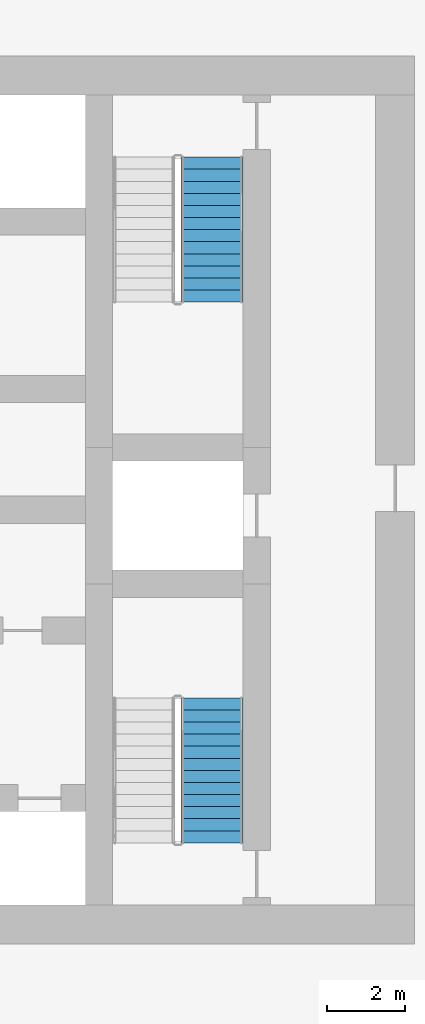
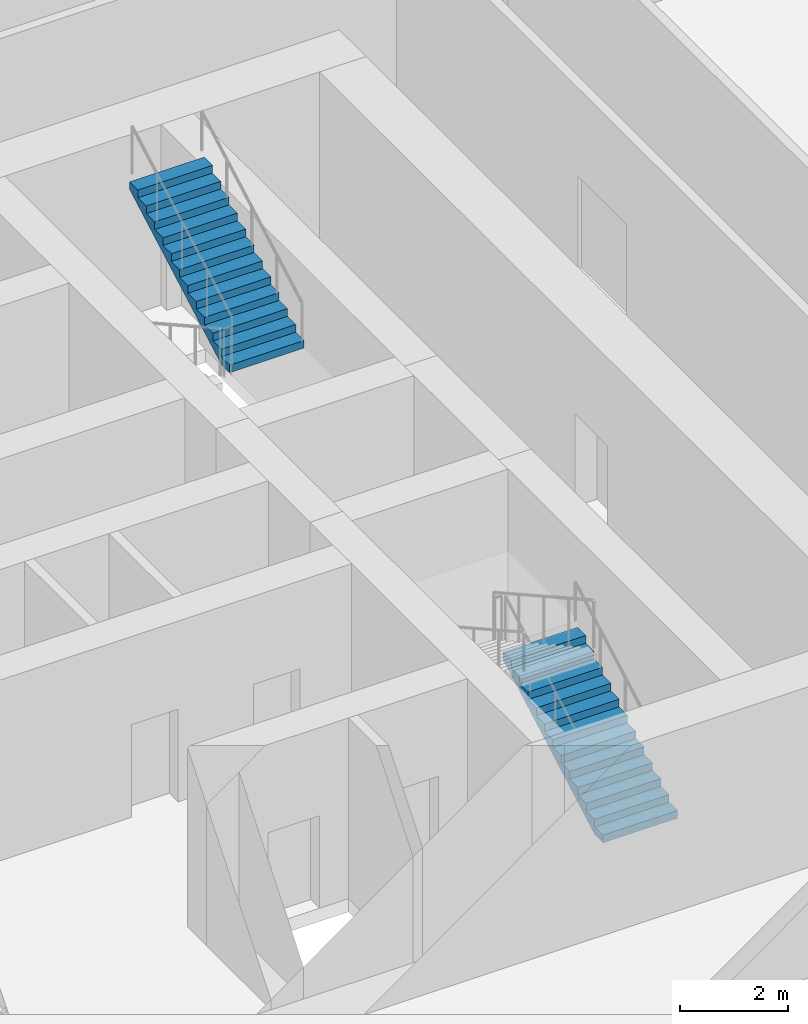
# One storey, part 26 of 32: 2 stair flights, 2 elements without a shape of their own.
"""IFC4 building model written with IfcOpenShell, lengths in metres."""

from ifc_helpers import new_model, si_unit, direction, frame, origin, place, context, subcontext, project, spatial, polyline, outline, extrude, material, type_object, element, aggregate, save


model = new_model("IFC4")

# Units and contexts
model_context = context("Model", 3, precision=1e-05, world=origin(), true_north=direction((0.0, 1.0)))
body_context = subcontext(model_context, "Body", "Model", "MODEL_VIEW")
ifc_project = project(units=[si_unit("LENGTHUNIT", "METRE"), si_unit("AREAUNIT", "SQUARE_METRE"), si_unit("VOLUMEUNIT", "CUBIC_METRE"), si_unit("PLANEANGLEUNIT", "RADIAN"), si_unit("MASSUNIT", "GRAM", prefix="KILO")], contexts=[model_context])

# Site, building, storey
site_placement = place(None, origin())
site = spatial("IfcSite", under=ifc_project, at=site_placement, CompositionType="ELEMENT")
building_placement = place(site_placement, origin())
building = spatial("IfcBuilding", under=site, at=building_placement, Name="Madar Terraces", CompositionType="ELEMENT")
storey_placement = place(building_placement, frame((0.0, 0.0, 19.5)))
storey = spatial("IfcBuildingStorey", under=building, at=storey_placement, Name="L04", CompositionType="ELEMENT", Elevation=19.5)

# Stair, stair flight
ifc_material_1 = material(Name="Concrete C50/60", Category="concrete")
stair_type_1 = type_object("IfcStairType", Name="Stair ST2 protected exit", PredefinedType="HALF_TURN_STAIR", material=ifc_material_1)
stair_1_placement = place(storey_placement, origin())
stair_1 = element("IfcStair", 1, at=stair_1_placement, inside=storey, type_object=stair_type_1, Name="L04 Protected Exit Stair ST2", PredefinedType="HALF_TURN_STAIR")
ifc_material_2 = material(Name="Concrete C50/60", Category="concrete")
stair_flight_type_1 = type_object("IfcStairFlightType", Name="Stair flight ST2-F2, 1600 wide, 13 risers", PredefinedType="STRAIGHT", material=ifc_material_2)
stair_flight_1_placement = place(storey_placement, frame((42.199951171875, 31.47998046875, 2.25), z_axis=(0.0, 0.0, 1.0), x_axis=(0.0, 1.0, 0.0)))
stair_flight_1 = element("IfcStairFlight", 2, at=stair_flight_1_placement, type_object=stair_flight_type_1, Name="ST2 flight 2", NumberOfRisers=13, NumberOfTreads=12, PredefinedType="STRAIGHT", RiserHeight=0.173076923, TreadLength=0.31, context=body_context, shape_type="SweptSolid", body=[
    extrude(outline(polyline([(0.0, 0.0), (0.0, 0.173095703125), (0.31005859375, 0.173095703125), (0.31005859375, 0.34619140625), (0.6201171875, 0.34619140625), (0.6201171875, 0.519287109375), (0.929931640625, 0.519287109375), (0.929931640625, 0.6923828125), (1.239990234375, 0.6923828125), (1.239990234375, 0.865478515625), (1.550048828125, 0.865478515625), (1.550048828125, 1.03857421875), (1.860107421875, 1.03857421875), (1.860107421875, 1.21142578125), (2.169921875, 1.21142578125), (2.169921875, 1.384521484375), (2.47998046875, 1.384521484375), (2.47998046875, 1.5576171875), (2.7900390625, 1.5576171875), (2.7900390625, 1.730712890625), (3.10009765625, 1.730712890625), (3.10009765625, 1.90380859375), (3.409912109375, 1.90380859375), (3.409912109375, 2.076904296875), (3.719970703125, 2.076904296875), (3.719970703125, 2.25), (3.719970703125, 1.9052734375), (0.3076171875, 0.0), (0.0, 0.0)])), frame((0.0, 0.800048828125, 0.0), z_axis=(0.0, -1.0, 0.0), x_axis=(1.0, 0.0, 0.0)), (0.0, 0.0, 1.0), 1.60009765625),
])
aggregate(stair_1, [stair_flight_1])

ifc_material_3 = material(Name="Concrete C50/60", Category="concrete")
stair_type_2 = type_object("IfcStairType", Name="Stair ST3 protected exit", PredefinedType="HALF_TURN_STAIR", material=ifc_material_3)
stair_2_placement = place(storey_placement, origin())
stair_2 = element("IfcStair", 3, at=stair_2_placement, inside=storey, type_object=stair_type_2, Name="L04 Protected Exit Stair ST3", PredefinedType="HALF_TURN_STAIR")
ifc_material_4 = material(Name="Concrete C50/60", Category="concrete")
stair_flight_type_2 = type_object("IfcStairFlightType", Name="Stair flight ST3-F2, 1600 wide, 13 risers", PredefinedType="STRAIGHT", material=ifc_material_4)
stair_flight_2_placement = place(storey_placement, frame((42.199951171875, 17.60009765625, 0.0), z_axis=(0.0, 0.0, 1.0), x_axis=(0.0, 1.0, 0.0)))
stair_flight_2 = element("IfcStairFlight", 4, at=stair_flight_2_placement, type_object=stair_flight_type_2, Name="ST3 flight 1", NumberOfRisers=13, NumberOfTreads=12, PredefinedType="STRAIGHT", RiserHeight=0.173076923, TreadLength=0.31, context=body_context, shape_type="SweptSolid", body=[
    extrude(outline(polyline([(0.0, 0.0), (0.0, 0.173095703125), (0.31005859375, 0.173095703125), (0.31005859375, 0.34619140625), (0.6201171875, 0.34619140625), (0.6201171875, 0.519287109375), (0.929931640625, 0.519287109375), (0.929931640625, 0.6923828125), (1.239990234375, 0.6923828125), (1.239990234375, 0.865478515625), (1.550048828125, 0.865478515625), (1.550048828125, 1.03857421875), (1.860107421875, 1.03857421875), (1.860107421875, 1.21142578125), (2.169921875, 1.21142578125), (2.169921875, 1.384521484375), (2.47998046875, 1.384521484375), (2.47998046875, 1.5576171875), (2.7900390625, 1.5576171875), (2.7900390625, 1.730712890625), (3.10009765625, 1.730712890625), (3.10009765625, 1.90380859375), (3.409912109375, 1.90380859375), (3.409912109375, 2.076904296875), (3.719970703125, 2.076904296875), (3.719970703125, 2.25), (3.719970703125, 1.9052734375), (0.3076171875, 0.0), (0.0, 0.0)])), frame((0.0, 0.800048828125, 0.0), z_axis=(0.0, -1.0, 0.0), x_axis=(1.0, 0.0, 0.0)), (0.0, 0.0, 1.0), 1.60009765625),
])
aggregate(stair_2, [stair_flight_2])

save(model, "model.ifc")
